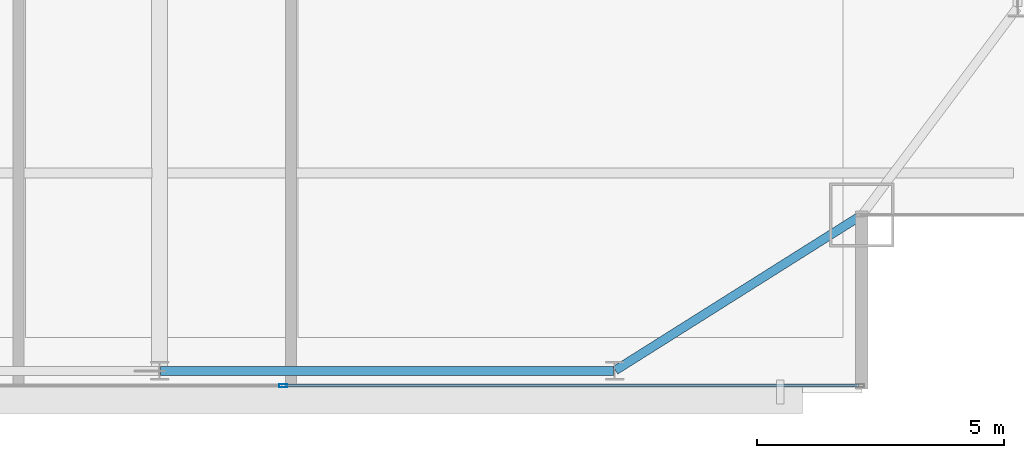
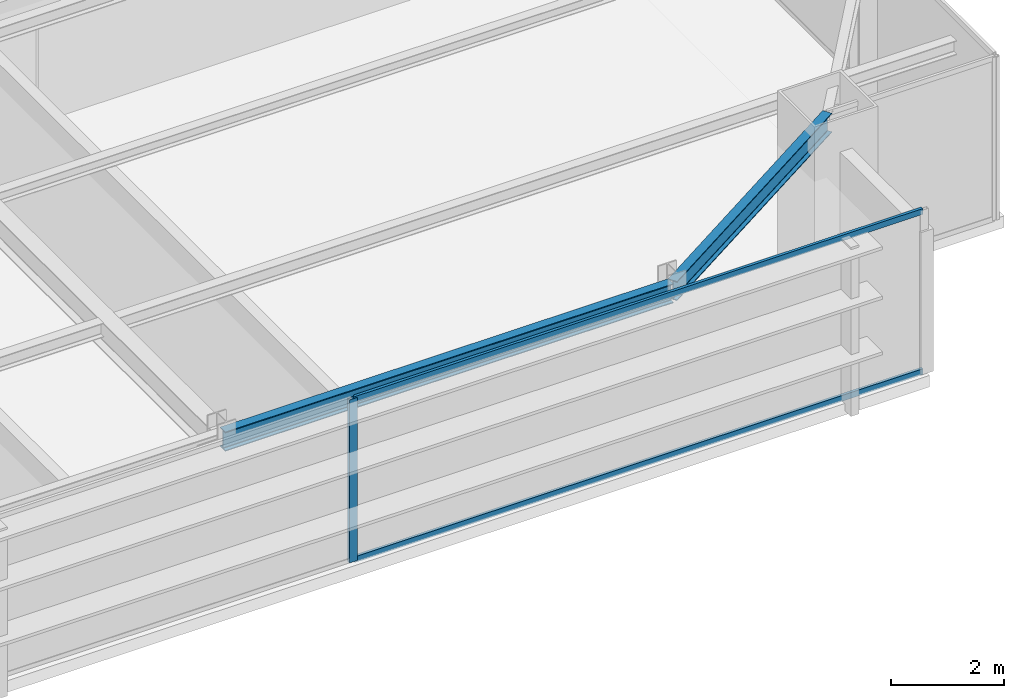
# One storey, part 13 of 29: 3 members, 2 beams, 1 element without a shape of its own.
"""IFC4 building model written with IfcOpenShell, lengths in metres."""

from ifc_helpers import new_model, si_unit, direction, frame, origin, origin_2d, place, context, subcontext, project, spatial, hollow_rectangle, i_section, extrude, source, transform, mapped, material, layer, layer_set, material_profile, profile_set, type_object, type_shapes, element, aggregate, save


model = new_model("IFC4")

# Units and contexts
model_context = context("Model", 3, precision=1e-05, world=origin(), true_north=direction((0.0, 1.0)))
body_context = subcontext(model_context, "Body", "Model", "MODEL_VIEW")
ifc_project = project(units=[si_unit("LENGTHUNIT", "METRE"), si_unit("AREAUNIT", "SQUARE_METRE"), si_unit("VOLUMEUNIT", "CUBIC_METRE"), si_unit("PLANEANGLEUNIT", "RADIAN"), si_unit("MASSUNIT", "GRAM", prefix="KILO")], contexts=[model_context])

# Site, building, storey
site_placement = place(None, origin())
site = spatial("IfcSite", under=ifc_project, at=site_placement, CompositionType="ELEMENT")
building_placement = place(site_placement, origin())
building = spatial("IfcBuilding", under=site, at=building_placement, Name="Varnel Quay Broadcast Tower", CompositionType="ELEMENT")
storey_placement = place(building_placement, frame((0.0, 0.0, 187.60009765625)))
storey = spatial("IfcBuildingStorey", under=building, at=storey_placement, Name="L46", CompositionType="ELEMENT", Elevation=187.60009765625)

# Beams
ifc_material_1 = material(Name="Structural Steel CSA G40.21 350W", Category="steel")
ifc_material_profile_1 = material_profile(ifc_material_1, i_section(OverallWidth=0.180908203125, OverallDepth=0.4169921875, WebThickness=0.010986328125, FlangeThickness=0.018310546875, FilletRadius=0.011962890625, at=origin_2d()), Name="W410X85")
ifc_profile_set_1 = profile_set([ifc_material_profile_1], Name="Structural Steel CSA G40.21 350W")
beam_type = type_object("IfcBeamType", Name="Beam_W410X85", PredefinedType="SPANDREL", material=ifc_profile_set_1)
shared_shape_1 = source(origin(), body_context, "Body", "SweptSolid", [
    extrude(i_section(OverallWidth=0.180908203125, OverallDepth=0.4169921875, WebThickness=0.010986328125, FlangeThickness=0.018310546875, FilletRadius=0.011962890625, at=origin_2d()), origin(), (0.0, 0.0, 1.0), 9.159912109375),
])
beam_1_placement = place(storey_placement, frame((43.219970703125, 7.64990234375, 3.3115234375), z_axis=(1.0, 0.0, 0.0), x_axis=(0.0, 1.0, 0.0)))
element("IfcBeam", 1, at=beam_1_placement, inside=storey, type_object=beam_type, Name="L46 South Spandrel TC-S4-TC-S5", PredefinedType="SPANDREL", context=body_context, shape_type="MappedRepresentation", body=[
    mapped(shared_shape_1, transform((0.0, 0.0, 0.0), x_axis=(1.0, 0.0, 0.0), y_axis=(0.0, 1.0, 0.0), z_axis=(0.0, 0.0, 1.0), scale=1.0)),
])
shared_shape_2 = source(origin(), body_context, "Body", "SweptSolid", [
    extrude(i_section(OverallWidth=0.180908203125, OverallDepth=0.4169921875, WebThickness=0.010986328125, FlangeThickness=0.018310546875, FilletRadius=0.011962890625, at=origin_2d()), origin(), (0.0, 0.0, 1.0), 5.869384765625),
])
type_shapes(beam_type, [shared_shape_1, shared_shape_2])
beam_2_placement = place(storey_placement, frame((52.4169921875, 7.66064453125, 3.3115234375), z_axis=(0.846088328928, 0.533042718412, 0.0), x_axis=(-0.533042718412, 0.846088328928, 0.0)))
element("IfcBeam", 2, at=beam_2_placement, inside=storey, type_object=beam_type, Name="L46 South Spandrel TC-S5-MC-SE", PredefinedType="SPANDREL", context=body_context, shape_type="MappedRepresentation", body=[
    mapped(shared_shape_2, transform((0.0, 0.0, 0.0), x_axis=(1.0, 0.0, 0.0), y_axis=(0.0, 1.0, 0.0), z_axis=(0.0, 0.0, 1.0), scale=1.0)),
])

# Curtain wall, members
ifc_material_2 = material(Name="Anodised Bronze Aluminium 6063-T6", Category="aluminium")
ifc_layer = layer(ifc_material_2, 0.18994140625, Name="Anodised Bronze Aluminium 6063-T6")
ifc_layer_set = layer_set([ifc_layer], Name="Anodised Bronze Aluminium 6063-T6")
curtain_wall_type = type_object("IfcCurtainWallType", Name="CW_UpperTower", PredefinedType="NOTDEFINED", material=ifc_layer_set)
curtain_wall_placement = place(storey_placement, origin())
curtain_wall = element("IfcCurtainWall", 3, at=curtain_wall_placement, inside=storey, type_object=curtain_wall_type, Name="L46 South Unitised Curtain Wall 1", PredefinedType="NOTDEFINED")
ifc_material_profile_2 = material_profile(ifc_material_2, hollow_rectangle(XDim=0.06005859375, YDim=0.125, WallThickness=0.0029296875, at=origin_2d()), Name="ALU60X125X3")
ifc_profile_set_2 = profile_set([ifc_material_profile_2], Name="Anodised Bronze Aluminium 6063-T6")
member_type_1 = type_object("IfcMemberType", Name="Tran_CWS-03", PredefinedType="USERDEFINED", material=ifc_profile_set_2)
shared_shape_3 = source(origin(), body_context, "Body", "SweptSolid", [
    extrude(hollow_rectangle(XDim=0.06005859375, YDim=0.125, WallThickness=0.0029296875, at=origin_2d()), origin(), (0.0, 0.0, 1.0), 11.6025390625),
])
type_shapes(member_type_1, [shared_shape_3])
member_1_placement = place(storey_placement, frame((45.732421875, 7.35009765625, 0.02978515625), z_axis=(1.0, 0.0, 0.0), x_axis=(0.0, 1.0, 0.0)))
member_1 = element("IfcMember", 4, at=member_1_placement, type_object=member_type_1, Name="CWS-03 transom 4.1", ObjectType="TRANSOM", PredefinedType="USERDEFINED", context=body_context, shape_type="MappedRepresentation", body=[
    mapped(shared_shape_3, transform((0.0, 0.0, 0.0), x_axis=(1.0, 0.0, 0.0), y_axis=(0.0, 1.0, 0.0), z_axis=(0.0, 0.0, 1.0), scale=1.0)),
])
member_2_placement = place(storey_placement, frame((45.732421875, 7.35009765625, 3.489990234375), z_axis=(1.0, 0.0, 0.0), x_axis=(0.0, 1.0, 0.0)))
member_2 = element("IfcMember", 5, at=member_2_placement, type_object=member_type_1, Name="CWS-03 transom 4.2", ObjectType="TRANSOM", PredefinedType="USERDEFINED", context=body_context, shape_type="MappedRepresentation", body=[
    mapped(shared_shape_3, transform((0.0, 0.0, 0.0), x_axis=(1.0, 0.0, 0.0), y_axis=(0.0, 1.0, 0.0), z_axis=(0.0, 0.0, 1.0), scale=1.0)),
])
ifc_material_profile_3 = material_profile(ifc_material_2, hollow_rectangle(XDim=0.06494140625, YDim=0.1650390625, WallThickness=0.00341796875, at=origin_2d()), Name="ALU65X165X3.5")
ifc_profile_set_3 = profile_set([ifc_material_profile_3], Name="Anodised Bronze Aluminium 6063-T6")
member_type_2 = type_object("IfcMemberType", Name="Mull_CWS-03", PredefinedType="MULLION", material=ifc_profile_set_3)
shared_shape_4 = source(origin(), body_context, "Body", "SweptSolid", [
    extrude(hollow_rectangle(XDim=0.06494140625, YDim=0.1650390625, WallThickness=0.00341796875, at=origin_2d()), origin(), (0.0, 0.0, 1.0), 3.52001953125),
])
type_shapes(member_type_2, [shared_shape_4])
member_3_placement = place(storey_placement, frame((45.699951171875, 7.35009765625, 0.0), z_axis=(0.0, 0.0, 1.0), x_axis=(0.0, 1.0, 0.0)))
member_3 = element("IfcMember", 6, at=member_3_placement, type_object=member_type_2, Name="CWS-03 mullion 4", PredefinedType="MULLION", context=body_context, shape_type="MappedRepresentation", body=[
    mapped(shared_shape_4, transform((0.0, 0.0, 0.0), x_axis=(1.0, 0.0, 0.0), y_axis=(0.0, 1.0, 0.0), z_axis=(0.0, 0.0, 1.0), scale=1.0)),
])
aggregate(curtain_wall, [member_3, member_1, member_2])

save(model, "model.ifc")
